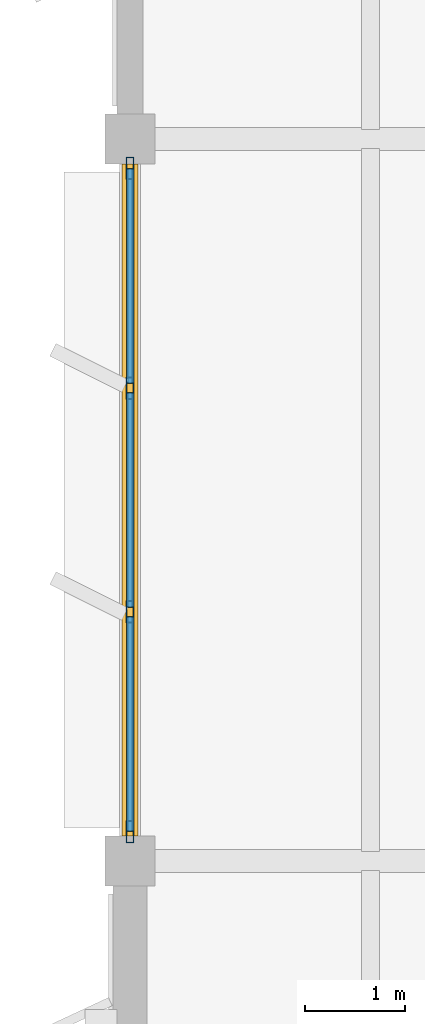
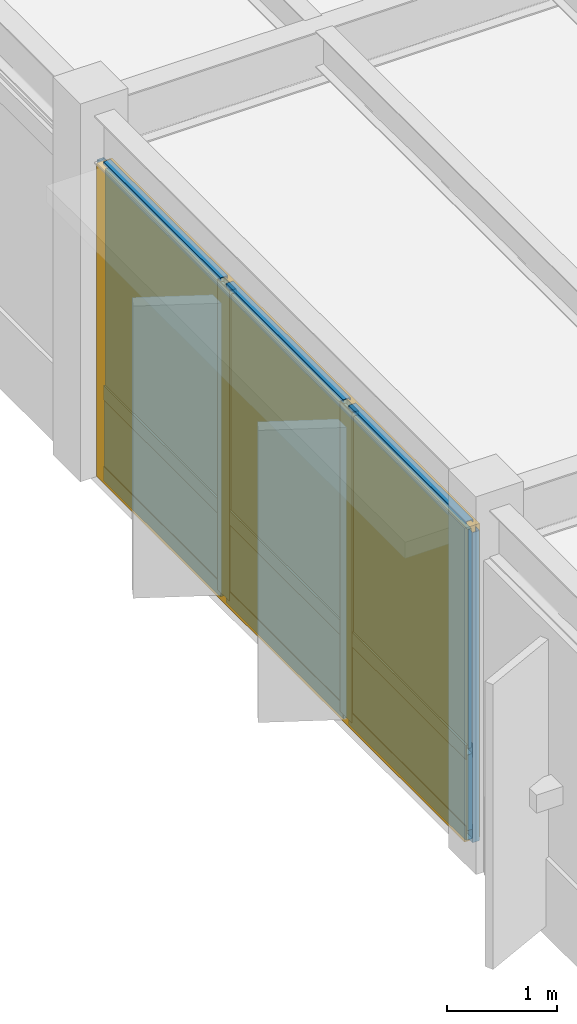
# One storey, part 49 of 85: 13 members, 6 plates, 1 curtain wall.
"""IFC4 building model written with IfcOpenShell, lengths in metres."""

from ifc_helpers import new_model, si_unit, direction, frame, origin, origin_2d, place, context, subcontext, project, spatial, rectangle, hollow_rectangle, extrude, material, layer, layer_set, material_profile, profile_set, type_object, element, aggregate, save


model = new_model("IFC4")

# Units and contexts
model_context = context("Model", 3, precision=1e-05, world=origin(), true_north=direction((0.0, 1.0)))
body_context = subcontext(model_context, "Body", "Model", "MODEL_VIEW")
ifc_project = project(units=[si_unit("LENGTHUNIT", "METRE"), si_unit("AREAUNIT", "SQUARE_METRE"), si_unit("VOLUMEUNIT", "CUBIC_METRE"), si_unit("PLANEANGLEUNIT", "RADIAN"), si_unit("MASSUNIT", "GRAM", prefix="KILO")], contexts=[model_context])

# Member
ifc_material_1 = material(Name="Anodized Aluminium 6063-T6", Category="aluminium")
ifc_material_profile_1 = material_profile(ifc_material_1, hollow_rectangle(XDim=0.074951171875, YDim=0.219970703125, WallThickness=0.0048828125, at=origin_2d()), Name="ALU 75x220x5")
ifc_profile_set_1 = profile_set([ifc_material_profile_1], Name="Anodized Aluminium 6063-T6")
member_type_1 = type_object("IfcMemberType", Name="CWM-75X180", PredefinedType="MULLION", material=ifc_profile_set_1)
site_placement = place(None, origin())
building_placement = place(site_placement, origin())
storey_placement = place(building_placement, frame((0.0, 0.0, 9.89990234375)))
member_1_placement = place(storey_placement, frame((7.199951171875, 50.68994140625, 0.02001953125), z_axis=(0.0, 0.0, 1.0), x_axis=(1.0, 0.0, 0.0)))
member_1 = element("IfcMember", 1, at=member_1_placement, type_object=member_type_1, Name="Curtain wall mullion CW-L03-01-07-W-00", PredefinedType="MULLION", context=body_context, shape_type="SweptSolid", body=[
    extrude(hollow_rectangle(XDim=0.074951171875, YDim=0.219970703125, WallThickness=0.0048828125, at=origin_2d()), origin(), (0.0, 0.0, 1.0), 3.447021484375),
])

member_2_placement = place(storey_placement, frame((7.199951171875, 52.88330078125, 0.02001953125), z_axis=(0.0, 0.0, 1.0), x_axis=(1.0, 0.0, 0.0)))
member_2 = element("IfcMember", 2, at=member_2_placement, type_object=member_type_1, Name="Curtain wall mullion CW-L03-01-07-W-01", PredefinedType="MULLION", context=body_context, shape_type="SweptSolid", body=[
    extrude(hollow_rectangle(XDim=0.074951171875, YDim=0.219970703125, WallThickness=0.0048828125, at=origin_2d()), origin(), (0.0, 0.0, 1.0), 3.447021484375),
])

member_3_placement = place(storey_placement, frame((7.199951171875, 55.11669921875, 0.02001953125), z_axis=(0.0, 0.0, 1.0), x_axis=(1.0, 0.0, 0.0)))
member_3 = element("IfcMember", 3, at=member_3_placement, type_object=member_type_1, Name="Curtain wall mullion CW-L03-01-07-W-02", PredefinedType="MULLION", context=body_context, shape_type="SweptSolid", body=[
    extrude(hollow_rectangle(XDim=0.074951171875, YDim=0.219970703125, WallThickness=0.0048828125, at=origin_2d()), origin(), (0.0, 0.0, 1.0), 3.447021484375),
])

member_4_placement = place(storey_placement, frame((7.199951171875, 57.31005859375, 0.02001953125), z_axis=(0.0, 0.0, 1.0), x_axis=(1.0, 0.0, 0.0)))
member_4 = element("IfcMember", 4, at=member_4_placement, type_object=member_type_1, Name="Curtain wall mullion CW-L03-01-07-W-03", PredefinedType="MULLION", context=body_context, shape_type="SweptSolid", body=[
    extrude(hollow_rectangle(XDim=0.074951171875, YDim=0.219970703125, WallThickness=0.0048828125, at=origin_2d()), origin(), (0.0, 0.0, 1.0), 3.447021484375),
])

ifc_material_profile_2 = material_profile(ifc_material_1, hollow_rectangle(XDim=0.074951171875, YDim=0.159912109375, WallThickness=0.00390625, at=origin_2d()), Name="ALU 75x160x4")
ifc_profile_set_2 = profile_set([ifc_material_profile_2], Name="Anodized Aluminium 6063-T6")
member_type_2 = type_object("IfcMemberType", Name="CWT-75X150", PredefinedType="USERDEFINED", material=ifc_profile_set_2)
member_5_placement = place(storey_placement, frame((7.199951171875, 50.699951171875, 0.050048828125), z_axis=(0.0, 1.0, 0.0), x_axis=(-1.0, 0.0, 0.0)))
member_5 = element("IfcMember", 5, at=member_5_placement, type_object=member_type_2, Name="Curtain wall transom CW-L03-01-07-W-1.01", ObjectType="TRANSOM", PredefinedType="USERDEFINED", context=body_context, shape_type="SweptSolid", body=[
    extrude(hollow_rectangle(XDim=0.074951171875, YDim=0.159912109375, WallThickness=0.00390625, at=origin_2d()), origin(), (0.0, 0.0, 1.0), 2.13330078125),
])

member_6_placement = place(storey_placement, frame((7.199951171875, 52.933349609375, 0.050048828125), z_axis=(0.0, 1.0, 0.0), x_axis=(-1.0, 0.0, 0.0)))
member_6 = element("IfcMember", 6, at=member_6_placement, type_object=member_type_2, Name="Curtain wall transom CW-L03-01-07-W-1.02", ObjectType="TRANSOM", PredefinedType="USERDEFINED", context=body_context, shape_type="SweptSolid", body=[
    extrude(hollow_rectangle(XDim=0.074951171875, YDim=0.159912109375, WallThickness=0.00390625, at=origin_2d()), origin(), (0.0, 0.0, 1.0), 2.13330078125),
])

member_7_placement = place(storey_placement, frame((7.199951171875, 55.166748046875, 0.050048828125), z_axis=(0.0, 1.0, 0.0), x_axis=(-1.0, 0.0, 0.0)))
member_7 = element("IfcMember", 7, at=member_7_placement, type_object=member_type_2, Name="Curtain wall transom CW-L03-01-07-W-1.03", ObjectType="TRANSOM", PredefinedType="USERDEFINED", context=body_context, shape_type="SweptSolid", body=[
    extrude(hollow_rectangle(XDim=0.074951171875, YDim=0.159912109375, WallThickness=0.00390625, at=origin_2d()), origin(), (0.0, 0.0, 1.0), 2.13330078125),
])

member_8_placement = place(storey_placement, frame((7.199951171875, 50.699951171875, 0.9501953125), z_axis=(0.0, 1.0, 0.0), x_axis=(-1.0, 0.0, 0.0)))
member_8 = element("IfcMember", 8, at=member_8_placement, type_object=member_type_2, Name="Curtain wall transom CW-L03-01-07-W-2.01", ObjectType="TRANSOM", PredefinedType="USERDEFINED", context=body_context, shape_type="SweptSolid", body=[
    extrude(hollow_rectangle(XDim=0.074951171875, YDim=0.159912109375, WallThickness=0.00390625, at=origin_2d()), origin(), (0.0, 0.0, 1.0), 2.13330078125),
])

member_9_placement = place(storey_placement, frame((7.199951171875, 52.933349609375, 0.9501953125), z_axis=(0.0, 1.0, 0.0), x_axis=(-1.0, 0.0, 0.0)))
member_9 = element("IfcMember", 9, at=member_9_placement, type_object=member_type_2, Name="Curtain wall transom CW-L03-01-07-W-2.02", ObjectType="TRANSOM", PredefinedType="USERDEFINED", context=body_context, shape_type="SweptSolid", body=[
    extrude(hollow_rectangle(XDim=0.074951171875, YDim=0.159912109375, WallThickness=0.00390625, at=origin_2d()), origin(), (0.0, 0.0, 1.0), 2.13330078125),
])

member_10_placement = place(storey_placement, frame((7.199951171875, 55.166748046875, 0.9501953125), z_axis=(0.0, 1.0, 0.0), x_axis=(-1.0, 0.0, 0.0)))
member_10 = element("IfcMember", 10, at=member_10_placement, type_object=member_type_2, Name="Curtain wall transom CW-L03-01-07-W-2.03", ObjectType="TRANSOM", PredefinedType="USERDEFINED", context=body_context, shape_type="SweptSolid", body=[
    extrude(hollow_rectangle(XDim=0.074951171875, YDim=0.159912109375, WallThickness=0.00390625, at=origin_2d()), origin(), (0.0, 0.0, 1.0), 2.13330078125),
])

member_11_placement = place(storey_placement, frame((7.199951171875, 50.699951171875, 3.43701171875), z_axis=(0.0, 1.0, 0.0), x_axis=(-1.0, 0.0, 0.0)))
member_11 = element("IfcMember", 11, at=member_11_placement, type_object=member_type_2, Name="Curtain wall transom CW-L03-01-07-W-3.01", ObjectType="TRANSOM", PredefinedType="USERDEFINED", context=body_context, shape_type="SweptSolid", body=[
    extrude(hollow_rectangle(XDim=0.074951171875, YDim=0.159912109375, WallThickness=0.00390625, at=origin_2d()), origin(), (0.0, 0.0, 1.0), 2.13330078125),
])

member_12_placement = place(storey_placement, frame((7.199951171875, 52.933349609375, 3.43701171875), z_axis=(0.0, 1.0, 0.0), x_axis=(-1.0, 0.0, 0.0)))
member_12 = element("IfcMember", 12, at=member_12_placement, type_object=member_type_2, Name="Curtain wall transom CW-L03-01-07-W-3.02", ObjectType="TRANSOM", PredefinedType="USERDEFINED", context=body_context, shape_type="SweptSolid", body=[
    extrude(hollow_rectangle(XDim=0.074951171875, YDim=0.159912109375, WallThickness=0.00390625, at=origin_2d()), origin(), (0.0, 0.0, 1.0), 2.13330078125),
])

member_13_placement = place(storey_placement, frame((7.199951171875, 55.166748046875, 3.43701171875), z_axis=(0.0, 1.0, 0.0), x_axis=(-1.0, 0.0, 0.0)))
member_13 = element("IfcMember", 13, at=member_13_placement, type_object=member_type_2, Name="Curtain wall transom CW-L03-01-07-W-3.03", ObjectType="TRANSOM", PredefinedType="USERDEFINED", context=body_context, shape_type="SweptSolid", body=[
    extrude(hollow_rectangle(XDim=0.074951171875, YDim=0.159912109375, WallThickness=0.00390625, at=origin_2d()), origin(), (0.0, 0.0, 1.0), 2.13330078125),
])

# Plate
ifc_material_2 = material(Name="Acoustic Laminated Low-E Glazing", Category="glass")
ifc_layer_1 = layer(ifc_material_2, 0.0439453125)
ifc_layer_set_1 = layer_set([ifc_layer_1], Name="Acoustic Laminated Low-E Glazing")
plate_type_1 = type_object("IfcPlateType", Name="CWP-IGU-44", PredefinedType="CURTAIN_PANEL", material=ifc_layer_set_1)
plate_1_placement = place(storey_placement, frame((7.199951171875, 51.7666015625, 0.989990234375), z_axis=(0.0, 0.0, 1.0), x_axis=(0.0, 1.0, 0.0)))
plate_1 = element("IfcPlate", 14, at=plate_1_placement, type_object=plate_type_1, Name="Curtain wall vision glazing CW-L03-01-07-W-01", PredefinedType="CURTAIN_PANEL", context=body_context, shape_type="SweptSolid", body=[
    extrude(rectangle(XDim=2.143310546875, YDim=0.0400390625, at=origin_2d()), origin(), (0.0, 0.0, 1.0), 2.43701171875),
])

plate_2_placement = place(storey_placement, frame((7.199951171875, 54.0, 0.989990234375), z_axis=(0.0, 0.0, 1.0), x_axis=(0.0, 1.0, 0.0)))
plate_2 = element("IfcPlate", 15, at=plate_2_placement, type_object=plate_type_1, Name="Curtain wall vision glazing CW-L03-01-07-W-02", PredefinedType="CURTAIN_PANEL", context=body_context, shape_type="SweptSolid", body=[
    extrude(rectangle(XDim=2.143310546875, YDim=0.0400390625, at=origin_2d()), origin(), (0.0, 0.0, 1.0), 2.43701171875),
])

plate_3_placement = place(storey_placement, frame((7.199951171875, 56.2333984375, 0.989990234375), z_axis=(0.0, 0.0, 1.0), x_axis=(0.0, 1.0, 0.0)))
plate_3 = element("IfcPlate", 16, at=plate_3_placement, type_object=plate_type_1, Name="Curtain wall vision glazing CW-L03-01-07-W-03", PredefinedType="CURTAIN_PANEL", context=body_context, shape_type="SweptSolid", body=[
    extrude(rectangle(XDim=2.143310546875, YDim=0.0400390625, at=origin_2d()), origin(), (0.0, 0.0, 1.0), 2.43701171875),
])

ifc_material_3 = material(Name="Insulated Stone-Composite Spandrel", Category="masonry")
ifc_layer_2 = layer(ifc_material_3, 0.068115234375)
ifc_layer_set_2 = layer_set([ifc_layer_2], Name="Insulated Stone-Composite Spandrel")
plate_type_2 = type_object("IfcPlateType", Name="CWP-SPN-68", PredefinedType="CURTAIN_PANEL", material=ifc_layer_set_2)
plate_4_placement = place(storey_placement, frame((7.199951171875, 51.7666015625, 0.080078125), z_axis=(0.0, 0.0, 1.0), x_axis=(0.0, 1.0, 0.0)))
plate_4 = element("IfcPlate", 17, at=plate_4_placement, type_object=plate_type_2, Name="Curtain wall spandrel panel CW-L03-01-07-W-01", PredefinedType="CURTAIN_PANEL", context=body_context, shape_type="SweptSolid", body=[
    extrude(rectangle(XDim=2.143310546875, YDim=0.06005859375, at=origin_2d()), origin(), (0.0, 0.0, 1.0), 0.840087890625),
])

plate_5_placement = place(storey_placement, frame((7.199951171875, 54.0, 0.080078125), z_axis=(0.0, 0.0, 1.0), x_axis=(0.0, 1.0, 0.0)))
plate_5 = element("IfcPlate", 18, at=plate_5_placement, type_object=plate_type_2, Name="Curtain wall spandrel panel CW-L03-01-07-W-02", PredefinedType="CURTAIN_PANEL", context=body_context, shape_type="SweptSolid", body=[
    extrude(rectangle(XDim=2.143310546875, YDim=0.06005859375, at=origin_2d()), origin(), (0.0, 0.0, 1.0), 0.840087890625),
])

plate_6_placement = place(storey_placement, frame((7.199951171875, 56.2333984375, 0.080078125), z_axis=(0.0, 0.0, 1.0), x_axis=(0.0, 1.0, 0.0)))
plate_6 = element("IfcPlate", 19, at=plate_6_placement, type_object=plate_type_2, Name="Curtain wall spandrel panel CW-L03-01-07-W-03", PredefinedType="CURTAIN_PANEL", context=body_context, shape_type="SweptSolid", body=[
    extrude(rectangle(XDim=2.143310546875, YDim=0.06005859375, at=origin_2d()), origin(), (0.0, 0.0, 1.0), 0.840087890625),
])

# Site, building, storey
site = spatial("IfcSite", under=ifc_project, at=site_placement, CompositionType="ELEMENT")
building = spatial("IfcBuilding", under=site, at=building_placement, Name="Sillqori Civic Hall", CompositionType="ELEMENT")
storey = spatial("IfcBuildingStorey", under=building, at=storey_placement, Name="L03", CompositionType="ELEMENT", Elevation=9.89990234375)

# Curtain wall
ifc_material_4 = material(Name="Anodized Aluminium Curtain Wall System", Category="aluminium")
curtain_wall_type = type_object("IfcCurtainWallType", Name="CW-GL-400", PredefinedType="NOTDEFINED", material=ifc_material_4)
curtain_wall_placement = place(storey_placement, frame((7.199951171875, 54.0, 0.0), z_axis=(0.0, 0.0, 1.0), x_axis=(0.0, 1.0, 0.0)))
curtain_wall = element("IfcCurtainWall", 20, at=curtain_wall_placement, inside=storey, type_object=curtain_wall_type, Name="L03 unitised curtain wall CW-L03-01-07-W", PredefinedType="NOTDEFINED", context=body_context, shape_type="SweptSolid", body=[
    extrude(rectangle(XDim=6.699951171875, YDim=0.159912109375, at=origin_2d()), origin(), (0.0, 0.0, 1.0), 3.487060546875),
])

aggregate(curtain_wall, [member_1, member_2, member_3, member_4, member_5, member_6, member_7, member_8, member_9, member_10, member_11, member_12, member_13, plate_4, plate_1, plate_5, plate_2, plate_6, plate_3])

save(model, "model.ifc")
